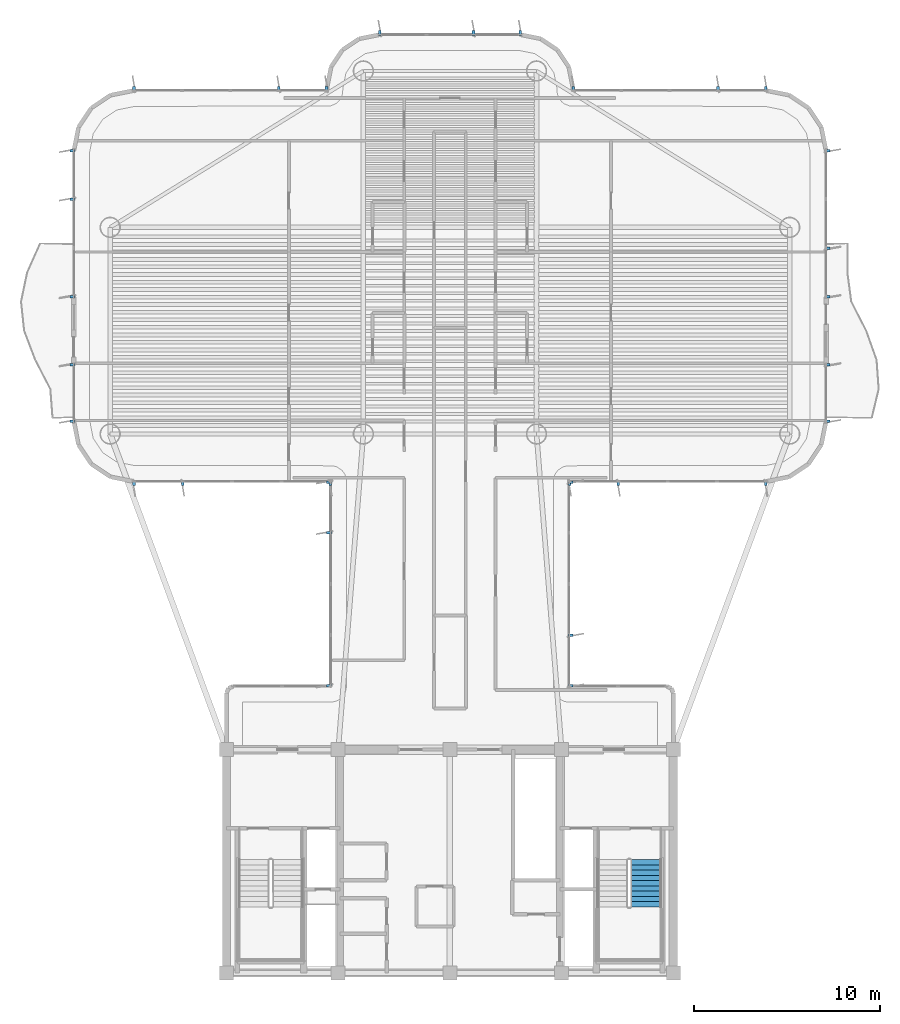
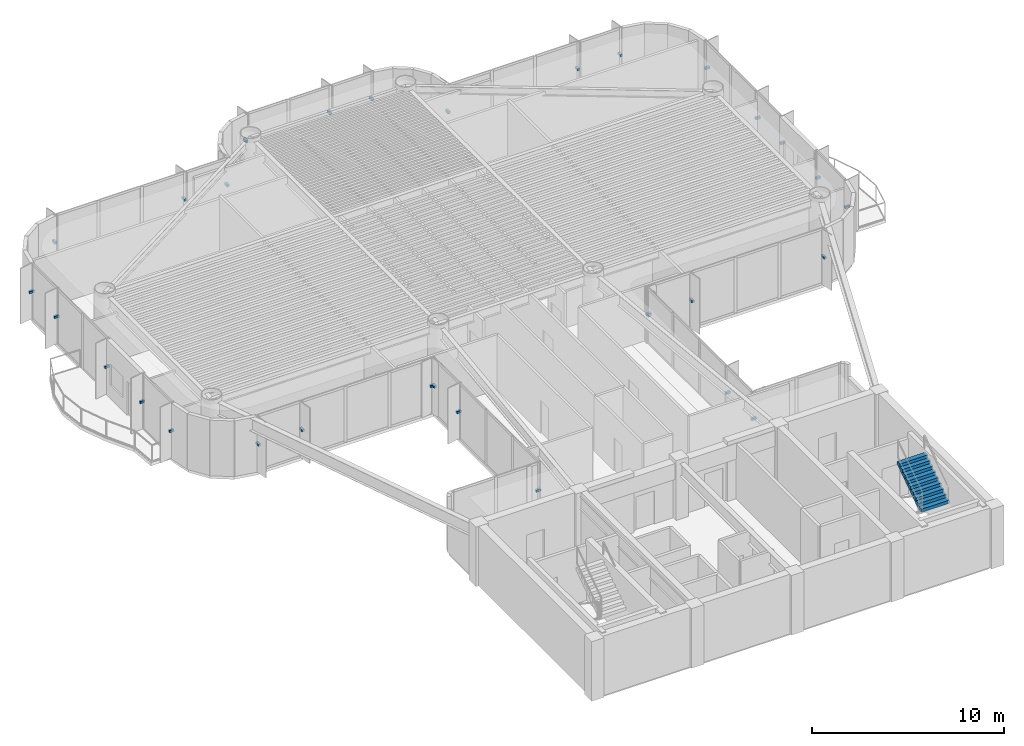
# One storey, part 13 of 15: 31 discrete accessories, 1 stair flight, 1 element without a shape of its own.
"""IFC4 building model written with IfcOpenShell, lengths in metres."""

import ifcopenshell
import ifcopenshell.guid

model = None  # the IFC model being written
_history = None  # IfcOwnerHistory: only IFC2X3 demands one
_inside = {}  # id of a spatial element -> (the spatial element, [elements in it])
_under = {}  # id of a project, library or spatial element -> (it, [spatial elements below it])
_declared = {}  # id of a project -> (the project, [libraries it declares])
_typed = {}  # id of a type object -> (the type object, [elements of that type])
_made_of = {}  # id of a material, layer set ... -> (it, [elements and type objects made of it])


def new_model(schema):
    """Start an empty IFC model of exactly this schema.

    Asked for "IFC4X3", IfcOpenShell would pick the latest addendum, in which some entities
    have other attributes; the version numbers below select the first issue.
    IFC2X3 requires an IfcOwnerHistory on every rooted entity: one is made here for all.
    """
    global model, _history
    if schema == "IFC4X3":
        model = ifcopenshell.file(schema_version=(4, 3, 0, 0))
    else:
        model = ifcopenshell.file(schema=schema)
    _inside.clear()
    _under.clear()
    _declared.clear()
    _typed.clear()
    _made_of.clear()
    _history = None
    if model.schema == "IFC2X3":
        org = make("IfcOrganization", Name="unknown")
        user = make(
            "IfcPersonAndOrganization",
            ThePerson=make("IfcPerson", FamilyName="unknown"),
            TheOrganization=org,
        )
        app = make(
            "IfcApplication",
            ApplicationDeveloper=org,
            Version="unknown",
            ApplicationFullName="unknown",
            ApplicationIdentifier="unknown",
        )
        _history = make(
            "IfcOwnerHistory",
            OwningUser=user,
            OwningApplication=app,
            ChangeAction="ADDED",
            CreationDate=0,
        )
    return model


def make(cls, **values):
    """One entity of the class cls with the attributes given. An attribute that is None is left unset."""
    return model.create_entity(
        cls, **{name: value for name, value in values.items() if value is not None}
    )


def rooted(cls, **values):
    """An entity with a GlobalId (a new one), such as an element, a storey or a relation."""
    return make(cls, GlobalId=ifcopenshell.guid.new(), OwnerHistory=_history, **values)


def si_unit(unit_type, name, prefix=None):
    """IfcSIUnit, for example si_unit("LENGTHUNIT", "METRE", prefix="MILLI")."""
    return make("IfcSIUnit", UnitType=unit_type, Prefix=prefix, Name=name)


def assignment(units):
    """IfcUnitAssignment: the units of a project."""
    return None if units is None else make("IfcUnitAssignment", Units=units)


def point(xyz):
    """IfcCartesianPoint."""
    return None if xyz is None else make("IfcCartesianPoint", Coordinates=xyz)


def direction(xyz):
    """IfcDirection."""
    return None if xyz is None else make("IfcDirection", DirectionRatios=xyz)


def frame(location, z_axis=None, x_axis=None):
    """IfcAxis2Placement3D, a coordinate frame: its origin and axes. An axis left out is left unset."""
    return make(
        "IfcAxis2Placement3D",
        Location=point(location),
        Axis=direction(z_axis),
        RefDirection=direction(x_axis),
    )


def frame_2d(location, x_axis=None):
    """IfcAxis2Placement2D, a coordinate frame in the plane: its origin and x axis."""
    return make(
        "IfcAxis2Placement2D", Location=point(location), RefDirection=direction(x_axis)
    )


def origin():
    """The frame at (0, 0, 0) with its axes left unset."""
    return frame((0.0, 0.0, 0.0))


def origin_2d():
    """The frame at (0, 0) in the plane with its x axis left unset."""
    return frame_2d((0.0, 0.0))


def place(relative_to, where):
    """IfcLocalPlacement: puts the frame where relative to a parent placement (None: the world)."""
    return make(
        "IfcLocalPlacement", PlacementRelTo=relative_to, RelativePlacement=where
    )


def context(
    kind, dimensions, precision=None, world=None, true_north=None, identifier=None
):
    """IfcGeometricRepresentationContext, for example the 3D "Model" context."""
    return make(
        "IfcGeometricRepresentationContext",
        ContextIdentifier=identifier,
        ContextType=kind,
        CoordinateSpaceDimension=dimensions,
        Precision=precision,
        WorldCoordinateSystem=world,
        TrueNorth=true_north,
    )


def subcontext(parent, identifier, kind, view, scale=None):
    """IfcGeometricRepresentationSubContext, for example "Body" below "Model"."""
    return make(
        "IfcGeometricRepresentationSubContext",
        ContextIdentifier=identifier,
        ContextType=kind,
        ParentContext=parent,
        TargetScale=scale,
        TargetView=view,
    )


def project(units=None, contexts=None):
    """IfcProject with its units and contexts."""
    return rooted(
        "IfcProject",
        Name="project",
        RepresentationContexts=contexts,
        UnitsInContext=assignment(units),
    )


def spatial(cls, under=None, at=None, **own):
    """A site, building, storey or space (cls), placed at a placement, below another one or the project."""
    s = rooted(cls, ObjectPlacement=at, **own)
    if under is not None:
        _under.setdefault(under.id(), (under, []))[1].append(s)
    return s


def polyline(points):
    """IfcPolyline through the points."""
    return make("IfcPolyline", Points=[point(p) for p in points])


def profile(cls, at=None, kind="AREA", **sizes):
    """A parametric profile (cls). Its sizes go by their IFC names, for example OverallWidth=200.0."""
    return make(cls, ProfileType=kind, Position=at, **sizes)


def rectangle(**sizes):
    """IfcRectangleProfileDef."""
    return profile("IfcRectangleProfileDef", **sizes)


def outline(outer, holes=None, kind="AREA"):
    """IfcArbitraryClosedProfileDef: a profile drawn as a closed curve; with holes, ...WithVoids."""
    if holes is None:
        return make("IfcArbitraryClosedProfileDef", ProfileType=kind, OuterCurve=outer)
    return make(
        "IfcArbitraryProfileDefWithVoids",
        ProfileType=kind,
        OuterCurve=outer,
        InnerCurves=holes,
    )


def extrude(swept, where, along, depth):
    """IfcExtrudedAreaSolid: the profile swept, set in the frame where, extruded along a direction by depth."""
    return make(
        "IfcExtrudedAreaSolid",
        SweptArea=swept,
        Position=where,
        ExtrudedDirection=direction(along),
        Depth=depth,
    )


def shape(context_of_items, identifier, shape_type, items):
    """IfcShapeRepresentation: the items that make up one representation, for example the "Body"."""
    return make(
        "IfcShapeRepresentation",
        ContextOfItems=context_of_items,
        RepresentationIdentifier=identifier,
        RepresentationType=shape_type,
        Items=items,
    )


def source(mapping_origin, context_of_items, identifier, shape_type, items):
    """IfcRepresentationMap: a shape defined once, which mapped items show again and again."""
    return make(
        "IfcRepresentationMap",
        MappingOrigin=mapping_origin,
        MappedRepresentation=shape(context_of_items, identifier, shape_type, items),
    )


def transform(
    local_origin,
    x_axis=None,
    y_axis=None,
    z_axis=None,
    scale=None,
    scale2=None,
    scale3=None,
    uniform=True,
):
    """IfcCartesianTransformationOperator3D, or its non-uniform kind. x_axis, y_axis, z_axis: its Axis1, 2, 3."""
    if uniform:
        return make(
            "IfcCartesianTransformationOperator3D",
            Axis1=direction(x_axis),
            Axis2=direction(y_axis),
            LocalOrigin=point(local_origin),
            Scale=scale,
            Axis3=direction(z_axis),
        )
    return make(
        "IfcCartesianTransformationOperator3DnonUniform",
        Axis1=direction(x_axis),
        Axis2=direction(y_axis),
        LocalOrigin=point(local_origin),
        Scale=scale,
        Axis3=direction(z_axis),
        Scale2=scale2,
        Scale3=scale3,
    )


def mapped(mapping_source, mapping_target):
    """IfcMappedItem: shows the shape of a source again, moved by a transform."""
    return make(
        "IfcMappedItem", MappingSource=mapping_source, MappingTarget=mapping_target
    )


def material(Name=None, Category=None):
    """IfcMaterial."""
    return make("IfcMaterial", Name=Name, Category=Category)


def made_of(thing, what):
    """Note that an element or type object is made of a material, layer set ...; save() writes the relation."""
    if what is not None:
        _made_of.setdefault(what.id(), (what, []))[1].append(thing)
    return thing


def type_object(cls, material=None, **own):
    """A type object (cls), such as IfcWallType, which elements share."""
    return made_of(rooted(cls, **own), material)


def element(
    cls,
    number,
    at=None,
    inside=None,
    cuts=None,
    type_object=None,
    material=None,
    context=None,
    identifier="Body",
    shape_type=None,
    held_by="IfcProductDefinitionShape",
    body=None,
    shapes=None,
    **own,
):
    """One element of the class cls, such as IfcWall. Its Tag is "e" and its number.

    at: its placement. inside: the storey or other place that contains it. cuts: it is an
    opening in that element (IfcRelVoidsElement). A single representation is given by context,
    identifier, shape_type and body (its items); several are given by shapes. held_by: the class
    of the entity that holds the representations. save() writes the other relations.
    """
    e = rooted(cls, Tag="e%d" % number, ObjectPlacement=at, **own)
    if body is not None:
        shapes = [shape(context, identifier, shape_type, body)]
    if shapes is not None:
        e.Representation = make(held_by, Representations=shapes)
    if inside is not None:
        _inside.setdefault(inside.id(), (inside, []))[1].append(e)
    if cuts is not None:
        rooted(
            "IfcRelVoidsElement", RelatingBuildingElement=cuts, RelatedOpeningElement=e
        )
    if type_object is not None:
        _typed.setdefault(type_object.id(), (type_object, []))[1].append(e)
    return made_of(e, material)


def aggregate(whole, parts):
    """IfcRelAggregates: a whole, such as a stair, and the parts it consists of."""
    return rooted("IfcRelAggregates", RelatingObject=whole, RelatedObjects=parts)


def save(model, path):
    """Write the relations noted so far, then the file.

    IfcRelAggregates (storeys below a building ...), IfcRelContainedInSpatialStructure (elements
    in a storey), IfcRelDefinesByType, IfcRelAssociatesMaterial and IfcRelDeclares: one each for
    every whole, place, type object, material and project.
    """
    for whole, parts in _under.values():
        aggregate(whole, parts)
    for where, things in _inside.values():
        rooted(
            "IfcRelContainedInSpatialStructure",
            RelatedElements=things,
            RelatingStructure=where,
        )
    for kind, things in _typed.values():
        rooted("IfcRelDefinesByType", RelatedObjects=things, RelatingType=kind)
    for what, things in _made_of.values():
        rooted("IfcRelAssociatesMaterial", RelatedObjects=things, RelatingMaterial=what)
    for by, libraries in _declared.values():
        rooted("IfcRelDeclares", RelatingContext=by, RelatedDefinitions=libraries)
    model.write(path)


model = new_model("IFC4")

# Units and contexts
model_context = context("Model", 3, precision=1e-05, world=origin(), true_north=direction((0.0, 1.0)))
body_context = subcontext(model_context, "Body", "Model", "MODEL_VIEW")
ifc_project = project(units=[si_unit("LENGTHUNIT", "METRE"), si_unit("AREAUNIT", "SQUARE_METRE"), si_unit("VOLUMEUNIT", "CUBIC_METRE"), si_unit("PLANEANGLEUNIT", "RADIAN"), si_unit("MASSUNIT", "GRAM", prefix="KILO")], contexts=[model_context])

# Site, building, storey
site_placement = place(None, origin())
site = spatial("IfcSite", under=ifc_project, at=site_placement, CompositionType="ELEMENT")
building_placement = place(site_placement, origin())
building = spatial("IfcBuilding", under=site, at=building_placement, Name="Brelvock Crest Care Tower", CompositionType="ELEMENT")
storey_placement = place(building_placement, frame((0.0, 0.0, 167.760009765625)))
storey = spatial("IfcBuildingStorey", under=building, at=storey_placement, Name="L42", CompositionType="ELEMENT", Elevation=167.760009765625)

# Stair, stair flight
ifc_material_1 = material(Name="Concrete N40 (40 MPa)", Category="concrete")
stair_type = type_object("IfcStairType", Name="ST-CORE1", PredefinedType="HALF_TURN_STAIR", material=ifc_material_1)
stair_placement = place(storey_placement, origin())
stair = element("IfcStair", 1, at=stair_placement, inside=storey, type_object=stair_type, Name="L42 Fire-Isolated Core Stair ST-2", PredefinedType="HALF_TURN_STAIR")
stair_flight_type = type_object("IfcStairFlightType", Name="STF-1", PredefinedType="STRAIGHT", material=ifc_material_1)
stair_flight_placement = place(storey_placement, frame((46.530029296875, 9.56005859375, 1.889892578125), z_axis=(0.0, 0.0, 1.0), x_axis=(0.0, 1.0, 0.0)))
stair_flight = element("IfcStairFlight", 2, at=stair_flight_placement, type_object=stair_flight_type, Name="ST-2 flight 2", NumberOfRisers=10, NumberOfTreads=9, PredefinedType="STRAIGHT", RiserHeight=0.189, TreadLength=0.28, context=body_context, shape_type="SweptSolid", body=[
    extrude(outline(polyline([(-0.00390625, -0.014892578125), (-0.00390625, -0.0078125), (-0.00390625, -0.00048828125), (-0.00390625, 0.0068359375), (-0.00390625, 0.01416015625), (-0.00390625, 0.021484375), (-0.00390625, 0.02880859375), (-0.00390625, 0.035888671875), (-0.00390625, 0.043212890625), (-0.00390625, 0.050537109375), (-0.00390625, 0.057861328125), (-0.00390625, 0.065185546875), (-0.00390625, 0.072509765625), (-0.00390625, 0.07958984375), (-0.00390625, 0.0869140625), (-0.00390625, 0.09423828125), (-0.00390625, 0.1015625), (-0.00390625, 0.10888671875), (-0.00390625, 0.1162109375), (-0.00390625, 0.12353515625), (-0.00390625, 0.130615234375), (-0.00390625, 0.137939453125), (-0.00390625, 0.145263671875), (-0.00390625, 0.152587890625), (-0.00390625, 0.159912109375), (-0.00390625, 0.167236328125), (-0.00390625, 0.17431640625), (-0.00390625, 0.181640625), (-0.00390625, 0.18896484375), (0.0, 0.18896484375), (0.280029296875, 0.18896484375), (0.280029296875, 0.3779296875), (0.56005859375, 0.3779296875), (0.56005859375, 0.56689453125), (0.840087890625, 0.56689453125), (0.840087890625, 0.756103515625), (1.1201171875, 0.756103515625), (1.1201171875, 0.945068359375), (1.39990234375, 0.945068359375), (1.39990234375, 1.134033203125), (1.679931640625, 1.134033203125), (1.679931640625, 1.322998046875), (1.9599609375, 1.322998046875), (1.9599609375, 1.511962890625), (2.239990234375, 1.511962890625), (2.239990234375, 1.700927734375), (2.52001953125, 1.700927734375), (2.52392578125, 1.700927734375), (2.523681640625, 1.70068359375), (2.52392578125, 1.700439453125), (2.523681640625, 1.699951171875), (2.52392578125, 1.69970703125), (2.523681640625, 1.699462890625), (2.52392578125, 1.698974609375), (2.523681640625, 1.69873046875), (2.52392578125, 1.698486328125), (2.523681640625, 1.697998046875), (2.52392578125, 1.69775390625), (2.523681640625, 1.697509765625), (2.52392578125, 1.697021484375), (2.523681640625, 1.69677734375), (2.52392578125, 1.696533203125), (2.523681640625, 1.6962890625), (2.52392578125, 1.69580078125), (2.523681640625, 1.695556640625), (2.52392578125, 1.6953125), (2.523681640625, 1.69482421875), (2.52392578125, 1.694580078125), (2.523681640625, 1.6943359375), (2.52392578125, 1.69384765625), (2.523681640625, 1.693603515625), (2.52392578125, 1.693359375), (2.523681640625, 1.69287109375), (2.52392578125, 1.692626953125), (2.523681640625, 1.6923828125), (2.52392578125, 1.69189453125), (2.52001953125, 1.520263671875), (0.267822265625, 0.0), (0.0, 0.0), (0.0, -0.014892578125), (-0.00390625, -0.014892578125)])), frame((0.0, 0.83984375, 0.0), z_axis=(0.0, -1.0, 0.0), x_axis=(1.0, 0.0, 0.0)), (0.0, 0.0, 1.0), 1.679931640625),
])
aggregate(stair, [stair_flight])

# Discrete accessories
ifc_material_2 = material(Name="Steel Grade 350", Category="steel")
discrete_accessory_type = type_object("IfcDiscreteAccessoryType", Name="ACC-BRK1", PredefinedType="BRACKET", material=ifc_material_2)
shared_shape = source(origin(), body_context, "Body", "SweptSolid", [
    extrude(rectangle(XDim=0.280029296875, YDim=0.139892578125, at=origin_2d()), origin(), (0.0, 0.0, 1.0), 0.139892578125),
])
for number, where, z_axis, x_axis, name in (
    (3, (29.52001953125, 21.429931640625, 1.69482421875), (0.0, 0.0, 1.0), (-1.0, 0.0, 0.0), "L42 Facade Fin Bracket E11-01"),
    (4, (29.52001953125, 29.64990234375, 1.69482421875), (0.0, 0.0, 1.0), (-1.0, 0.0, 0.0), "L42 Facade Fin Bracket E11-04"),
    (5, (29.52001953125, 32.3701171875, 1.69482421875), (0.0, 0.0, 1.0), (-1.0, 0.0, 0.0), "L42 Facade Fin Bracket E11-05"),
    (6, (29.570068359375, 32.320068359375, 1.69482421875), (0.0, 0.0, 1.0), (0.0, -1.0, 0.0), "L42 Facade Fin Bracket E12-01"),
    (7, (21.64990234375, 32.320068359375, 1.69482421875), (0.0, 0.0, 1.0), (0.0, -1.0, 0.0), "L42 Facade Fin Bracket E12-04"),
    (8, (19.030029296875, 32.320068359375, 1.69482421875), (0.0, 0.0, 1.0), (0.0, -1.0, 0.0), "L42 Facade Fin Bracket E12-05"),
    (9, (15.719970703125, 35.6298828125, 1.69482421875), (0.0, 0.0, 1.0), (-1.0, 0.0, 0.0), "L42 Facade Fin Bracket E17A-01"),
    (10, (15.719970703125, 38.669921875, 1.69482421875), (0.0, 0.0, 1.0), (-1.0, 0.0, 0.0), "L42 Facade Fin Bracket E17A-02"),
    (11, (15.719970703125, 42.330078125, 1.69482421875), (0.0, 0.0, 1.0), (-1.0, 0.0, 0.0), "L42 Facade Fin Bracket E17B-01"),
    (12, (15.719970703125, 47.566650390625, 1.69482421875), (0.0, 0.0, 1.0), (-1.0, 0.0, 0.0), "L42 Facade Fin Bracket E17B-03"),
    (13, (15.719970703125, 50.169921875, 1.69482421875), (0.0, 0.0, 1.0), (-1.0, 0.0, 0.0), "L42 Facade Fin Bracket E17B-04"),
    (14, (19.030029296875, 53.47998046875, 1.69482421875), (0.0, 0.0, 1.0), (0.0, 1.0, 0.0), "L42 Facade Fin Bracket E22-01"),
    (15, (26.800048828125, 53.47998046875, 1.69482421875), (0.0, 0.0, 1.0), (0.0, 1.0, 0.0), "L42 Facade Fin Bracket E22-04"),
    (16, (29.3701171875, 53.47998046875, 1.69482421875), (0.0, 0.0, 1.0), (0.0, 1.0, 0.0), "L42 Facade Fin Bracket E22-05"),
    (17, (32.22998046875, 56.47998046875, 1.69482421875), (0.0, 0.0, 1.0), (0.0, 1.0, 0.0), "L42 Facade Fin Bracket E28-01"),
    (18, (37.2666015625, 56.47998046875, 1.69482421875), (0.0, 0.0, 1.0), (0.0, 1.0, 0.0), "L42 Facade Fin Bracket E28-03"),
    (19, (39.77001953125, 56.47998046875, 1.69482421875), (0.0, 0.0, 1.0), (0.0, 1.0, 0.0), "L42 Facade Fin Bracket E28-04"),
    (20, (42.6298828125, 53.47998046875, 1.69482421875), (0.0, 0.0, 1.0), (0.0, 1.0, 0.0), "L42 Facade Fin Bracket E34-01"),
    (21, (50.39990234375, 53.47998046875, 1.69482421875), (0.0, 0.0, 1.0), (0.0, 1.0, 0.0), "L42 Facade Fin Bracket E34-04"),
    (22, (52.969970703125, 53.47998046875, 1.69482421875), (0.0, 0.0, 1.0), (0.0, 1.0, 0.0), "L42 Facade Fin Bracket E34-05"),
    (23, (56.280029296875, 50.169921875, 1.69482421875), (0.0, 0.0, 1.0), (1.0, 0.0, 0.0), "L42 Facade Fin Bracket E39A-01"),
    (24, (56.280029296875, 44.933349609375, 1.69482421875), (0.0, 0.0, 1.0), (1.0, 0.0, 0.0), "L42 Facade Fin Bracket E39A-03"),
    (25, (56.280029296875, 42.330078125, 1.69482421875), (0.0, 0.0, 1.0), (1.0, 0.0, 0.0), "L42 Facade Fin Bracket E39A-04"),
    (26, (56.280029296875, 38.669921875, 1.69482421875), (0.0, 0.0, 1.0), (1.0, 0.0, 0.0), "L42 Facade Fin Bracket E39B-01"),
    (27, (56.280029296875, 35.6298828125, 1.69482421875), (0.0, 0.0, 1.0), (1.0, 0.0, 0.0), "L42 Facade Fin Bracket E39B-02"),
    (28, (52.969970703125, 32.320068359375, 1.69482421875), (0.0, 0.0, 1.0), (0.0, -1.0, 0.0), "L42 Facade Fin Bracket E44-01"),
    (29, (45.050048828125, 32.320068359375, 1.69482421875), (0.0, 0.0, 1.0), (0.0, -1.0, 0.0), "L42 Facade Fin Bracket E44-04"),
    (30, (42.429931640625, 32.320068359375, 1.69482421875), (0.0, 0.0, 1.0), (0.0, -1.0, 0.0), "L42 Facade Fin Bracket E44-05"),
    (31, (42.47998046875, 32.3701171875, 1.69482421875), (0.0, 0.0, 1.0), (1.0, 0.0, 0.0), "L42 Facade Fin Bracket E45-01"),
    (32, (42.47998046875, 24.14990234375, 1.69482421875), (0.0, 0.0, 1.0), (1.0, 0.0, 0.0), "L42 Facade Fin Bracket E45-04"),
    (33, (42.47998046875, 21.429931640625, 1.69482421875), (0.0, 0.0, 1.0), (1.0, 0.0, 0.0), "L42 Facade Fin Bracket E45-05"),
):
    element("IfcDiscreteAccessory", number, at=place(storey_placement, frame(where, z_axis=z_axis, x_axis=x_axis)), inside=storey, type_object=discrete_accessory_type, Name=name, PredefinedType="BRACKET", context=body_context, shape_type="MappedRepresentation", body=[
        mapped(shared_shape, transform((0.0, 0.0, 0.0), x_axis=(1.0, 0.0, 0.0), y_axis=(0.0, 1.0, 0.0), z_axis=(0.0, 0.0, 1.0), scale=1.0)),
    ])

save(model, "model.ifc")
